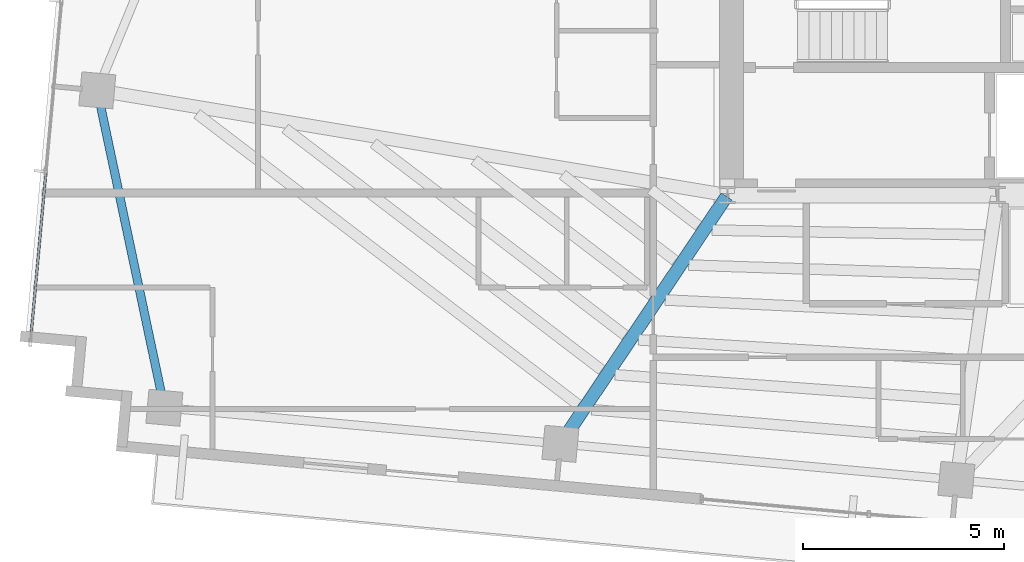
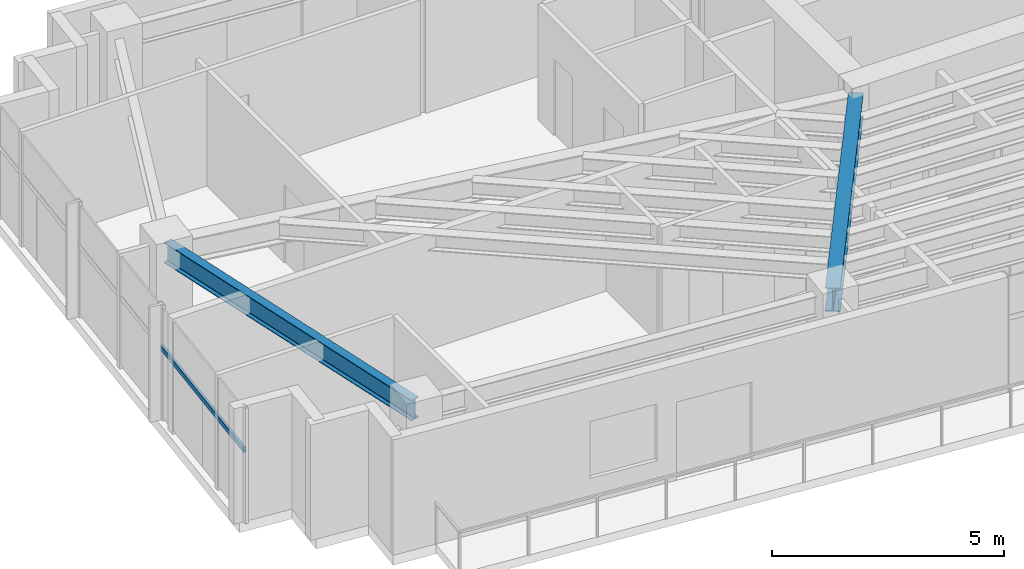
# One storey, part 3 of 22: 2 beams, 1 member, 1 element without a shape of its own.
"""IFC4 building model written with IfcOpenShell, lengths in metres."""

import ifcopenshell
import ifcopenshell.guid

model = None  # the IFC model being written
_history = None  # IfcOwnerHistory: only IFC2X3 demands one
_inside = {}  # id of a spatial element -> (the spatial element, [elements in it])
_under = {}  # id of a project, library or spatial element -> (it, [spatial elements below it])
_declared = {}  # id of a project -> (the project, [libraries it declares])
_typed = {}  # id of a type object -> (the type object, [elements of that type])
_made_of = {}  # id of a material, layer set ... -> (it, [elements and type objects made of it])


def new_model(schema):
    """Start an empty IFC model of exactly this schema.

    Asked for "IFC4X3", IfcOpenShell would pick the latest addendum, in which some entities
    have other attributes; the version numbers below select the first issue.
    IFC2X3 requires an IfcOwnerHistory on every rooted entity: one is made here for all.
    """
    global model, _history
    if schema == "IFC4X3":
        model = ifcopenshell.file(schema_version=(4, 3, 0, 0))
    else:
        model = ifcopenshell.file(schema=schema)
    _inside.clear()
    _under.clear()
    _declared.clear()
    _typed.clear()
    _made_of.clear()
    _history = None
    if model.schema == "IFC2X3":
        org = make("IfcOrganization", Name="unknown")
        user = make(
            "IfcPersonAndOrganization",
            ThePerson=make("IfcPerson", FamilyName="unknown"),
            TheOrganization=org,
        )
        app = make(
            "IfcApplication",
            ApplicationDeveloper=org,
            Version="unknown",
            ApplicationFullName="unknown",
            ApplicationIdentifier="unknown",
        )
        _history = make(
            "IfcOwnerHistory",
            OwningUser=user,
            OwningApplication=app,
            ChangeAction="ADDED",
            CreationDate=0,
        )
    return model


def make(cls, **values):
    """One entity of the class cls with the attributes given. An attribute that is None is left unset."""
    return model.create_entity(
        cls, **{name: value for name, value in values.items() if value is not None}
    )


def rooted(cls, **values):
    """An entity with a GlobalId (a new one), such as an element, a storey or a relation."""
    return make(cls, GlobalId=ifcopenshell.guid.new(), OwnerHistory=_history, **values)


def si_unit(unit_type, name, prefix=None):
    """IfcSIUnit, for example si_unit("LENGTHUNIT", "METRE", prefix="MILLI")."""
    return make("IfcSIUnit", UnitType=unit_type, Prefix=prefix, Name=name)


def assignment(units):
    """IfcUnitAssignment: the units of a project."""
    return None if units is None else make("IfcUnitAssignment", Units=units)


def point(xyz):
    """IfcCartesianPoint."""
    return None if xyz is None else make("IfcCartesianPoint", Coordinates=xyz)


def direction(xyz):
    """IfcDirection."""
    return None if xyz is None else make("IfcDirection", DirectionRatios=xyz)


def frame(location, z_axis=None, x_axis=None):
    """IfcAxis2Placement3D, a coordinate frame: its origin and axes. An axis left out is left unset."""
    return make(
        "IfcAxis2Placement3D",
        Location=point(location),
        Axis=direction(z_axis),
        RefDirection=direction(x_axis),
    )


def frame_2d(location, x_axis=None):
    """IfcAxis2Placement2D, a coordinate frame in the plane: its origin and x axis."""
    return make(
        "IfcAxis2Placement2D", Location=point(location), RefDirection=direction(x_axis)
    )


def origin():
    """The frame at (0, 0, 0) with its axes left unset."""
    return frame((0.0, 0.0, 0.0))


def origin_2d():
    """The frame at (0, 0) in the plane with its x axis left unset."""
    return frame_2d((0.0, 0.0))


def place(relative_to, where):
    """IfcLocalPlacement: puts the frame where relative to a parent placement (None: the world)."""
    return make(
        "IfcLocalPlacement", PlacementRelTo=relative_to, RelativePlacement=where
    )


def context(
    kind, dimensions, precision=None, world=None, true_north=None, identifier=None
):
    """IfcGeometricRepresentationContext, for example the 3D "Model" context."""
    return make(
        "IfcGeometricRepresentationContext",
        ContextIdentifier=identifier,
        ContextType=kind,
        CoordinateSpaceDimension=dimensions,
        Precision=precision,
        WorldCoordinateSystem=world,
        TrueNorth=true_north,
    )


def subcontext(parent, identifier, kind, view, scale=None):
    """IfcGeometricRepresentationSubContext, for example "Body" below "Model"."""
    return make(
        "IfcGeometricRepresentationSubContext",
        ContextIdentifier=identifier,
        ContextType=kind,
        ParentContext=parent,
        TargetScale=scale,
        TargetView=view,
    )


def project(units=None, contexts=None):
    """IfcProject with its units and contexts."""
    return rooted(
        "IfcProject",
        Name="project",
        RepresentationContexts=contexts,
        UnitsInContext=assignment(units),
    )


def spatial(cls, under=None, at=None, **own):
    """A site, building, storey or space (cls), placed at a placement, below another one or the project."""
    s = rooted(cls, ObjectPlacement=at, **own)
    if under is not None:
        _under.setdefault(under.id(), (under, []))[1].append(s)
    return s


def profile(cls, at=None, kind="AREA", **sizes):
    """A parametric profile (cls). Its sizes go by their IFC names, for example OverallWidth=200.0."""
    return make(cls, ProfileType=kind, Position=at, **sizes)


def hollow_rectangle(**sizes):
    """IfcRectangleHollowProfileDef."""
    return profile("IfcRectangleHollowProfileDef", **sizes)


def i_section(**sizes):
    """IfcIShapeProfileDef."""
    return profile("IfcIShapeProfileDef", **sizes)


def extrude(swept, where, along, depth):
    """IfcExtrudedAreaSolid: the profile swept, set in the frame where, extruded along a direction by depth."""
    return make(
        "IfcExtrudedAreaSolid",
        SweptArea=swept,
        Position=where,
        ExtrudedDirection=direction(along),
        Depth=depth,
    )


def shape(context_of_items, identifier, shape_type, items):
    """IfcShapeRepresentation: the items that make up one representation, for example the "Body"."""
    return make(
        "IfcShapeRepresentation",
        ContextOfItems=context_of_items,
        RepresentationIdentifier=identifier,
        RepresentationType=shape_type,
        Items=items,
    )


def source(mapping_origin, context_of_items, identifier, shape_type, items):
    """IfcRepresentationMap: a shape defined once, which mapped items show again and again."""
    return make(
        "IfcRepresentationMap",
        MappingOrigin=mapping_origin,
        MappedRepresentation=shape(context_of_items, identifier, shape_type, items),
    )


def transform(
    local_origin,
    x_axis=None,
    y_axis=None,
    z_axis=None,
    scale=None,
    scale2=None,
    scale3=None,
    uniform=True,
):
    """IfcCartesianTransformationOperator3D, or its non-uniform kind. x_axis, y_axis, z_axis: its Axis1, 2, 3."""
    if uniform:
        return make(
            "IfcCartesianTransformationOperator3D",
            Axis1=direction(x_axis),
            Axis2=direction(y_axis),
            LocalOrigin=point(local_origin),
            Scale=scale,
            Axis3=direction(z_axis),
        )
    return make(
        "IfcCartesianTransformationOperator3DnonUniform",
        Axis1=direction(x_axis),
        Axis2=direction(y_axis),
        LocalOrigin=point(local_origin),
        Scale=scale,
        Axis3=direction(z_axis),
        Scale2=scale2,
        Scale3=scale3,
    )


def mapped(mapping_source, mapping_target):
    """IfcMappedItem: shows the shape of a source again, moved by a transform."""
    return make(
        "IfcMappedItem", MappingSource=mapping_source, MappingTarget=mapping_target
    )


def material(Name=None, Category=None):
    """IfcMaterial."""
    return make("IfcMaterial", Name=Name, Category=Category)


def material_profile(
    of_material, cross_section, Name=None, Category=None, Priority=None
):
    """IfcMaterialProfile: a cross section and its material."""
    return make(
        "IfcMaterialProfile",
        Name=Name,
        Material=of_material,
        Profile=cross_section,
        Priority=Priority,
        Category=Category,
    )


def profile_set(profiles, Name=None, composite=None):
    """IfcMaterialProfileSet."""
    return make(
        "IfcMaterialProfileSet",
        Name=Name,
        MaterialProfiles=profiles,
        CompositeProfile=composite,
    )


def made_of(thing, what):
    """Note that an element or type object is made of a material, layer set ...; save() writes the relation."""
    if what is not None:
        _made_of.setdefault(what.id(), (what, []))[1].append(thing)
    return thing


def type_object(cls, material=None, **own):
    """A type object (cls), such as IfcWallType, which elements share."""
    return made_of(rooted(cls, **own), material)


def type_shapes(of_type, sources):
    """Give a type object the sources (RepresentationMaps) that its elements show as mapped items."""
    of_type.RepresentationMaps = sources


def element(
    cls,
    number,
    at=None,
    inside=None,
    cuts=None,
    type_object=None,
    material=None,
    context=None,
    identifier="Body",
    shape_type=None,
    held_by="IfcProductDefinitionShape",
    body=None,
    shapes=None,
    **own,
):
    """One element of the class cls, such as IfcWall. Its Tag is "e" and its number.

    at: its placement. inside: the storey or other place that contains it. cuts: it is an
    opening in that element (IfcRelVoidsElement). A single representation is given by context,
    identifier, shape_type and body (its items); several are given by shapes. held_by: the class
    of the entity that holds the representations. save() writes the other relations.
    """
    e = rooted(cls, Tag="e%d" % number, ObjectPlacement=at, **own)
    if body is not None:
        shapes = [shape(context, identifier, shape_type, body)]
    if shapes is not None:
        e.Representation = make(held_by, Representations=shapes)
    if inside is not None:
        _inside.setdefault(inside.id(), (inside, []))[1].append(e)
    if cuts is not None:
        rooted(
            "IfcRelVoidsElement", RelatingBuildingElement=cuts, RelatedOpeningElement=e
        )
    if type_object is not None:
        _typed.setdefault(type_object.id(), (type_object, []))[1].append(e)
    return made_of(e, material)


def aggregate(whole, parts):
    """IfcRelAggregates: a whole, such as a stair, and the parts it consists of."""
    return rooted("IfcRelAggregates", RelatingObject=whole, RelatedObjects=parts)


def save(model, path):
    """Write the relations noted so far, then the file.

    IfcRelAggregates (storeys below a building ...), IfcRelContainedInSpatialStructure (elements
    in a storey), IfcRelDefinesByType, IfcRelAssociatesMaterial and IfcRelDeclares: one each for
    every whole, place, type object, material and project.
    """
    for whole, parts in _under.values():
        aggregate(whole, parts)
    for where, things in _inside.values():
        rooted(
            "IfcRelContainedInSpatialStructure",
            RelatedElements=things,
            RelatingStructure=where,
        )
    for kind, things in _typed.values():
        rooted("IfcRelDefinesByType", RelatedObjects=things, RelatingType=kind)
    for what, things in _made_of.values():
        rooted("IfcRelAssociatesMaterial", RelatedObjects=things, RelatingMaterial=what)
    for by, libraries in _declared.values():
        rooted("IfcRelDeclares", RelatingContext=by, RelatedDefinitions=libraries)
    model.write(path)


model = new_model("IFC4")

# Units and contexts
model_context = context("Model", 3, precision=1e-05, world=origin(), true_north=direction((0.0, 1.0)))
body_context = subcontext(model_context, "Body", "Model", "MODEL_VIEW")
ifc_project = project(units=[si_unit("LENGTHUNIT", "METRE"), si_unit("AREAUNIT", "SQUARE_METRE"), si_unit("VOLUMEUNIT", "CUBIC_METRE"), si_unit("PLANEANGLEUNIT", "RADIAN"), si_unit("MASSUNIT", "GRAM", prefix="KILO")], contexts=[model_context])

# Site, building, storey
site_placement = place(None, origin())
site = spatial("IfcSite", under=ifc_project, at=site_placement, CompositionType="ELEMENT")
building_placement = place(site_placement, origin())
building = spatial("IfcBuilding", under=site, at=building_placement, Name="Astriad Promenade Condominiums", CompositionType="ELEMENT")
storey_placement = place(building_placement, frame((0.0, 0.0, 223.199951171875)))
storey = spatial("IfcBuildingStorey", under=building, at=storey_placement, Name="L64", CompositionType="ELEMENT", Elevation=223.199951171875)

# Beams
ifc_material_1 = material(Name="Steel ASTM A992 Grade 50", Category="steel")
ifc_material_profile_1 = material_profile(ifc_material_1, i_section(OverallWidth=0.210693359375, OverallDepth=0.53955078125, WebThickness=0.01171875, FlangeThickness=0.018798828125, FilletRadius=0.0166015625, at=origin_2d()), Name="W21X73")
ifc_profile_set_1 = profile_set([ifc_material_profile_1], Name="Steel ASTM A992 Grade 50")
beam_type_1 = type_object("IfcBeamType", Name="STEEL SPANDREL BEAM W21X73", PredefinedType="SPANDREL", material=ifc_profile_set_1)
shared_shape_1 = source(origin(), body_context, "Body", "SweptSolid", [
    extrude(i_section(OverallWidth=0.210693359375, OverallDepth=0.53955078125, WebThickness=0.01171875, FlangeThickness=0.018798828125, FilletRadius=0.0166015625, at=origin_2d()), origin(), (0.0, 0.0, 1.0), 7.99853515625),
])
type_shapes(beam_type_1, [shared_shape_1])
beam_1_placement = place(storey_placement, frame((10.719482421875, 19.97119140625, 2.770263671875), z_axis=(0.206793407277, -0.978384631271, 0.0), x_axis=(0.978384631271, 0.206793407277, 0.0)))
element("IfcBeam", 1, at=beam_1_placement, inside=storey, type_object=beam_type_1, Name="Perimeter Spandrel Beam SP-W1-L64", PredefinedType="SPANDREL", context=body_context, shape_type="MappedRepresentation", body=[
    mapped(shared_shape_1, transform((0.0, 0.0, 0.0), scale=1.0)),
])
ifc_material_profile_2 = material_profile(ifc_material_1, i_section(OverallWidth=0.326416015625, OverallDepth=0.621826171875, WebThickness=0.015380859375, FlangeThickness=0.0244140625, FilletRadius=0.017822265625, at=origin_2d()), Name="W24X131")
ifc_profile_set_2 = profile_set([ifc_material_profile_2], Name="Steel ASTM A992 Grade 50")
beam_type_2 = type_object("IfcBeamType", Name="STEEL FLOOR GIRDER W24X131", PredefinedType="BEAM", material=ifc_profile_set_2)
shared_shape_2 = source(origin(), body_context, "Body", "SweptSolid", [
    extrude(i_section(OverallWidth=0.326416015625, OverallDepth=0.621826171875, WebThickness=0.015380859375, FlangeThickness=0.0244140625, FilletRadius=0.017822265625, at=origin_2d()), origin(), (0.0, 0.0, 1.0), 7.378173828125),
])
type_shapes(beam_type_2, [shared_shape_2])
beam_2_placement = place(storey_placement, frame((22.263427734375, 11.2421875, 2.729248046875), z_axis=(0.55762901545, 0.830090284926, 0.0), x_axis=(-0.830090284926, 0.55762901545, 0.0)))
element("IfcBeam", 2, at=beam_2_placement, inside=storey, type_object=beam_type_2, Name="Primary Floor Girder PG-W2-L64", PredefinedType="BEAM", context=body_context, shape_type="MappedRepresentation", body=[
    mapped(shared_shape_2, transform((0.0, 0.0, 0.0), scale=1.0)),
])

# Curtain wall, member
ifc_material_2 = material(Name="Anodised aluminium Black Dark Glass Unitised", Category="aluminium")
curtain_wall_type = type_object("IfcCurtainWallType", Name="CW-B5-DARK", PredefinedType="USERDEFINED", material=ifc_material_2)
curtain_wall_placement = place(storey_placement, origin())
curtain_wall = element("IfcCurtainWall", 3, at=curtain_wall_placement, inside=storey, type_object=curtain_wall_type, Name="CW-L64-W", ObjectType="UNITISED_CURTAIN_WALL", PredefinedType="USERDEFINED")
ifc_material_3 = material(Name="Anodised aluminium 6063-T6 Black", Category="aluminium")
ifc_material_profile_3 = material_profile(ifc_material_3, hollow_rectangle(XDim=0.06494140625, YDim=0.1298828125, WallThickness=0.00390625, at=origin_2d()), Name="ALU-TRN-65X130")
ifc_profile_set_3 = profile_set([ifc_material_profile_3], Name="Anodised aluminium 6063-T6 Black")
member_type = type_object("IfcMemberType", Name="TRN-ALU-TRN-65X130", PredefinedType="USERDEFINED", material=ifc_profile_set_3)
shared_shape_3 = source(origin(), body_context, "Body", "SweptSolid", [
    extrude(hollow_rectangle(XDim=0.06494140625, YDim=0.1298828125, WallThickness=0.00390625, at=origin_2d()), origin(), (0.0, 0.0, 1.0), 4.2666015625),
])
type_shapes(member_type, [shared_shape_3])
member_placement = place(storey_placement, frame((9.0458984375, 13.7353515625, 1.884765625), z_axis=(0.090638931954, 0.99588382054, 0.0), x_axis=(-0.99588382054, 0.090638931954, 0.0)))
member = element("IfcMember", 4, at=member_placement, type_object=member_type, Name="CW-L64-W-TRN-00-0", ObjectType="TRANSOM", PredefinedType="USERDEFINED", context=body_context, shape_type="MappedRepresentation", body=[
    mapped(shared_shape_3, transform((0.0, 0.0, 0.0), scale=1.0)),
])
aggregate(curtain_wall, [member])

save(model, "model.ifc")
